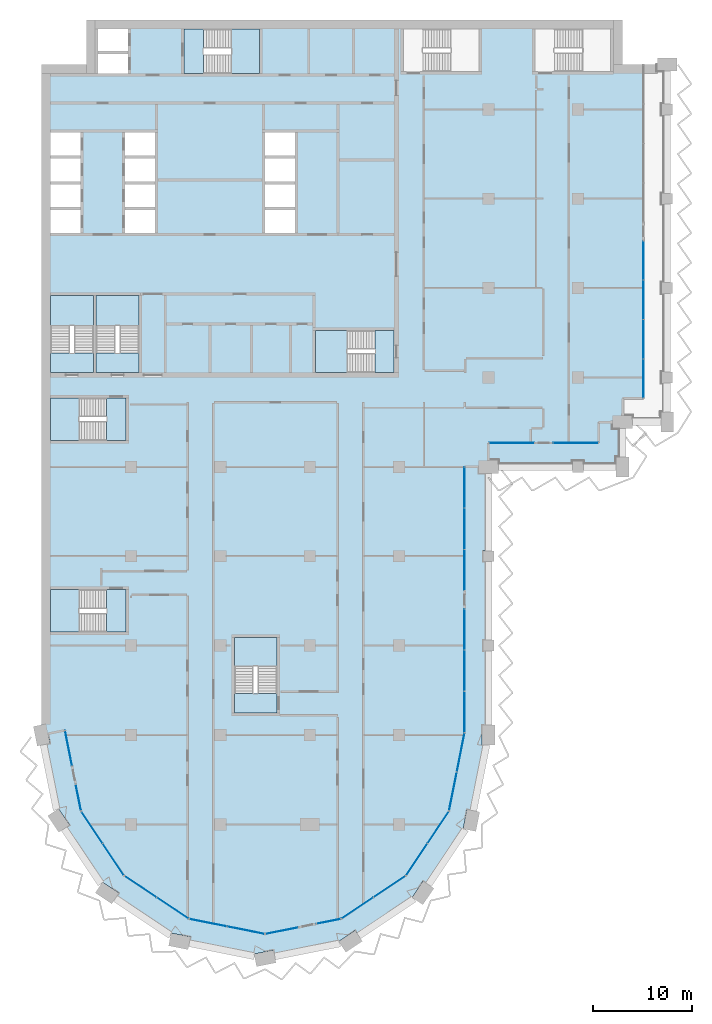
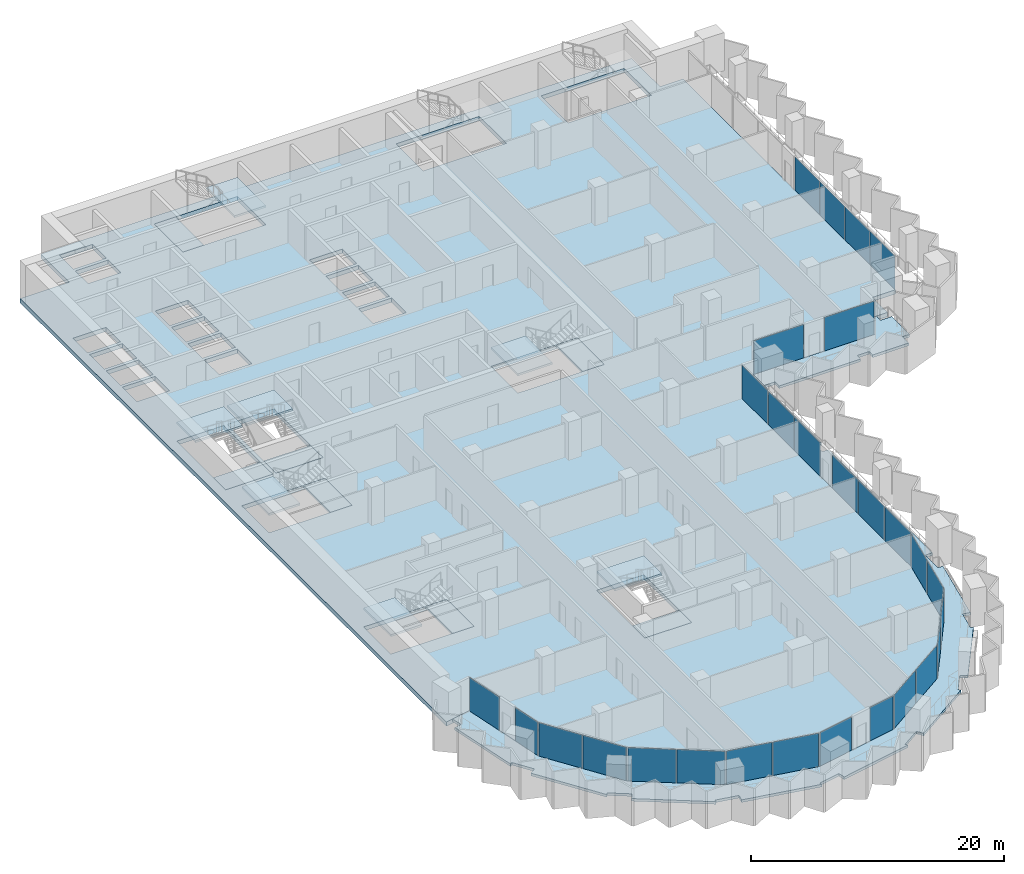
# One storey, part 6 of 22: 28 plates, 17 slabs, 22 elements without a shape of their own.
"""IFC4 building model written with IfcOpenShell, lengths in metres."""

from ifc_helpers import new_model, si_unit, direction, frame, origin, origin_2d, place, context, subcontext, project, spatial, polyline, rectangle, outline, extrude, material, layer, layer_set, type_object, element, aggregate, save


model = new_model("IFC4")

# Units and contexts
model_context = context("Model", 3, precision=1e-05, world=origin(), true_north=direction((0.0, 1.0)))
body_context = subcontext(model_context, "Body", "Model", "MODEL_VIEW")
ifc_project = project(units=[si_unit("LENGTHUNIT", "METRE"), si_unit("AREAUNIT", "SQUARE_METRE"), si_unit("VOLUMEUNIT", "CUBIC_METRE"), si_unit("PLANEANGLEUNIT", "RADIAN"), si_unit("MASSUNIT", "GRAM", prefix="KILO")], contexts=[model_context])

# Site, building, storey
site_placement = place(None, origin())
site = spatial("IfcSite", under=ifc_project, at=site_placement, CompositionType="ELEMENT")
building_placement = place(site_placement, origin())
building = spatial("IfcBuilding", under=site, at=building_placement, Name="Hunhe Ridgeline Campus", CompositionType="ELEMENT")
storey_placement = place(building_placement, frame((0.0, 0.0, 163.39990234375)))
storey = spatial("IfcBuildingStorey", under=building, at=storey_placement, Name="L41", CompositionType="ELEMENT", Elevation=163.39990234375)

# Curtain wall, plate
ifc_material_1 = material(Name="Aluminium 6063", Category="aluminium")
curtain_wall_type_1 = type_object("IfcCurtainWallType", Name="Curtain wall CW-5", PredefinedType="NOTDEFINED", material=ifc_material_1)
curtain_wall_1_placement = place(storey_placement, origin())
curtain_wall_1 = element("IfcCurtainWall", 1, at=curtain_wall_1_placement, inside=storey, type_object=curtain_wall_type_1, Name="Curtain wall 01", PredefinedType="NOTDEFINED")
ifc_material_2 = material(Name="Low-e laminated glass", Category="glass")
ifc_layer_1 = layer(ifc_material_2, 0.028076171875)
ifc_layer_set_1 = layer_set([ifc_layer_1], Name="Curtain wall glass panel 28 low-e laminated")
plate_type = type_object("IfcPlateType", Name="Curtain wall glass panel 28 low-e laminated", PredefinedType="CURTAIN_PANEL", material=ifc_layer_set_1)
plate_1_placement = place(storey_placement, frame((2.7158203125, 25.65380859375, 0.0), z_axis=(0.0, 0.0, 1.0), x_axis=(0.195095326561, -0.980784284924, 0.0)))
plate_1 = element("IfcPlate", 2, at=plate_1_placement, type_object=plate_type, Name="CW-5 panel 1", PredefinedType="CURTAIN_PANEL", context=body_context, shape_type="SweptSolid", body=[
    extrude(rectangle(XDim=3.560791015625, YDim=0.028076171875, at=origin_2d()), origin(), (0.0, 0.0, 1.0), 3.22998046875),
])
aggregate(curtain_wall_1, [plate_1])

curtain_wall_2_placement = place(storey_placement, origin())
curtain_wall_2 = element("IfcCurtainWall", 3, at=curtain_wall_2_placement, inside=storey, type_object=curtain_wall_type_1, Name="Curtain wall 02", PredefinedType="NOTDEFINED")
plate_2_placement = place(storey_placement, frame((3.701171875, 20.699951171875, 0.0), z_axis=(0.0, 0.0, 1.0), x_axis=(0.195095265587, -0.980784297053, 0.0)))
plate_2 = element("IfcPlate", 4, at=plate_2_placement, type_object=plate_type, Name="CW-5 panel 1", PredefinedType="CURTAIN_PANEL", context=body_context, shape_type="SweptSolid", body=[
    extrude(rectangle(XDim=2.660888671875, YDim=0.028076171875, at=origin_2d()), origin(), (0.0, 0.0, 1.0), 3.22998046875),
])
aggregate(curtain_wall_2, [plate_2])

# Curtain wall, plates
curtain_wall_3_placement = place(storey_placement, origin())
curtain_wall_3 = element("IfcCurtainWall", 5, at=curtain_wall_3_placement, inside=storey, type_object=curtain_wall_type_1, Name="Curtain wall 03", PredefinedType="NOTDEFINED")
plate_3_placement = place(storey_placement, frame((5.07080078125, 17.685546875, 0.0), z_axis=(0.0, 0.0, 1.0), x_axis=(0.555570274596, -0.831469584522, 0.0)))
plate_3 = element("IfcPlate", 6, at=plate_3_placement, type_object=plate_type, Name="CW-5 panel 1", PredefinedType="CURTAIN_PANEL", context=body_context, shape_type="SweptSolid", body=[
    extrude(rectangle(XDim=3.806884765625, YDim=0.028076171875, at=origin_2d()), origin(), (0.0, 0.0, 1.0), 3.22998046875),
])
plate_4_placement = place(storey_placement, frame((7.224609375, 14.4619140625, 0.0), z_axis=(0.0, 0.0, 1.0), x_axis=(0.555570274596, -0.831469584522, 0.0)))
plate_4 = element("IfcPlate", 7, at=plate_4_placement, type_object=plate_type, Name="CW-5 panel 2", PredefinedType="CURTAIN_PANEL", context=body_context, shape_type="SweptSolid", body=[
    extrude(rectangle(XDim=3.806884765625, YDim=0.028076171875, at=origin_2d()), origin(), (0.0, 0.0, 1.0), 3.22998046875),
])
aggregate(curtain_wall_3, [plate_3, plate_4])

curtain_wall_4_placement = place(storey_placement, origin())
curtain_wall_4 = element("IfcCurtainWall", 8, at=curtain_wall_4_placement, inside=storey, type_object=curtain_wall_type_1, Name="Curtain wall 04", PredefinedType="NOTDEFINED")
plate_5_placement = place(storey_placement, frame((9.9619140625, 11.724609375, 0.0), z_axis=(0.0, 0.0, 1.0), x_axis=(0.831469584522, -0.555570274596, 0.0)))
plate_5 = element("IfcPlate", 9, at=plate_5_placement, type_object=plate_type, Name="CW-5 panel 1", PredefinedType="CURTAIN_PANEL", context=body_context, shape_type="SweptSolid", body=[
    extrude(rectangle(XDim=3.806884765625, YDim=0.028076171875, at=origin_2d()), origin(), (0.0, 0.0, 1.0), 3.22998046875),
])
plate_6_placement = place(storey_placement, frame((13.185546875, 9.57080078125, 0.0), z_axis=(0.0, 0.0, 1.0), x_axis=(0.831469584522, -0.555570274596, 0.0)))
plate_6 = element("IfcPlate", 10, at=plate_6_placement, type_object=plate_type, Name="CW-5 panel 2", PredefinedType="CURTAIN_PANEL", context=body_context, shape_type="SweptSolid", body=[
    extrude(rectangle(XDim=3.806884765625, YDim=0.028076171875, at=origin_2d()), origin(), (0.0, 0.0, 1.0), 3.22998046875),
])
aggregate(curtain_wall_4, [plate_5, plate_6])

curtain_wall_5_placement = place(storey_placement, origin())
curtain_wall_5 = element("IfcCurtainWall", 11, at=curtain_wall_5_placement, inside=storey, type_object=curtain_wall_type_1, Name="Curtain wall 05", PredefinedType="NOTDEFINED")
plate_7_placement = place(storey_placement, frame((16.761962890625, 8.08935546875, 0.0), z_axis=(0.0, 0.0, 1.0), x_axis=(0.980785275326, -0.195090347539, 0.0)))
plate_7 = element("IfcPlate", 12, at=plate_7_placement, type_object=plate_type, Name="CW-5 panel 1", PredefinedType="CURTAIN_PANEL", context=body_context, shape_type="SweptSolid", body=[
    extrude(rectangle(XDim=3.806884765625, YDim=0.028076171875, at=origin_2d()), origin(), (0.0, 0.0, 1.0), 3.22998046875),
])
plate_8_placement = place(storey_placement, frame((20.564453125, 7.3330078125, 0.0), z_axis=(0.0, 0.0, 1.0), x_axis=(0.980785275326, -0.195090347539, 0.0)))
plate_8 = element("IfcPlate", 13, at=plate_8_placement, type_object=plate_type, Name="CW-5 panel 2", PredefinedType="CURTAIN_PANEL", context=body_context, shape_type="SweptSolid", body=[
    extrude(rectangle(XDim=3.806884765625, YDim=0.028076171875, at=origin_2d()), origin(), (0.0, 0.0, 1.0), 3.22998046875),
])
aggregate(curtain_wall_5, [plate_7, plate_8])

# Curtain wall, plate
curtain_wall_6_placement = place(storey_placement, origin())
curtain_wall_6 = element("IfcCurtainWall", 14, at=curtain_wall_6_placement, inside=storey, type_object=curtain_wall_type_1, Name="Curtain wall 06", PredefinedType="NOTDEFINED")
plate_9_placement = place(storey_placement, frame((24.19775390625, 7.28564453125, 0.0), z_axis=(0.0, 0.0, 1.0), x_axis=(0.980785270791, 0.19509037034, 0.0)))
plate_9 = element("IfcPlate", 15, at=plate_9_placement, type_object=plate_type, Name="CW-5 panel 1", PredefinedType="CURTAIN_PANEL", context=body_context, shape_type="SweptSolid", body=[
    extrude(rectangle(XDim=3.322021484375, YDim=0.028076171875, at=origin_2d()), origin(), (0.0, 0.0, 1.0), 3.22998046875),
])
aggregate(curtain_wall_6, [plate_9])

curtain_wall_7_placement = place(storey_placement, origin())
curtain_wall_7 = element("IfcCurtainWall", 16, at=curtain_wall_7_placement, inside=storey, type_object=curtain_wall_type_1, Name="Curtain wall 07", PredefinedType="NOTDEFINED")
plate_10_placement = place(storey_placement, frame((28.917236328125, 8.224609375, 0.0), z_axis=(0.0, 0.0, 1.0), x_axis=(0.980785242091, 0.195090514627, 0.0)))
plate_10 = element("IfcPlate", 17, at=plate_10_placement, type_object=plate_type, Name="CW-5 panel 1", PredefinedType="CURTAIN_PANEL", context=body_context, shape_type="SweptSolid", body=[
    extrude(rectangle(XDim=2.421875, YDim=0.028076171875, at=origin_2d()), origin(), (0.0, 0.0, 1.0), 3.22998046875),
])
aggregate(curtain_wall_7, [plate_10])

# Curtain wall, plates
curtain_wall_8_placement = place(storey_placement, origin())
curtain_wall_8 = element("IfcCurtainWall", 18, at=curtain_wall_8_placement, inside=storey, type_object=curtain_wall_type_1, Name="Curtain wall 08", PredefinedType="NOTDEFINED")
plate_11_placement = place(storey_placement, frame((31.814453125, 9.57080078125, 0.0), z_axis=(0.0, 0.0, 1.0), x_axis=(0.831469584522, 0.555570274596, 0.0)))
plate_11 = element("IfcPlate", 19, at=plate_11_placement, type_object=plate_type, Name="CW-5 panel 1", PredefinedType="CURTAIN_PANEL", context=body_context, shape_type="SweptSolid", body=[
    extrude(rectangle(XDim=3.806884765625, YDim=0.028076171875, at=origin_2d()), origin(), (0.0, 0.0, 1.0), 3.22998046875),
])
plate_12_placement = place(storey_placement, frame((35.0380859375, 11.724609375, 0.0), z_axis=(0.0, 0.0, 1.0), x_axis=(0.831469584522, 0.555570274596, 0.0)))
plate_12 = element("IfcPlate", 20, at=plate_12_placement, type_object=plate_type, Name="CW-5 panel 2", PredefinedType="CURTAIN_PANEL", context=body_context, shape_type="SweptSolid", body=[
    extrude(rectangle(XDim=3.806884765625, YDim=0.028076171875, at=origin_2d()), origin(), (0.0, 0.0, 1.0), 3.22998046875),
])
aggregate(curtain_wall_8, [plate_11, plate_12])

curtain_wall_9_placement = place(storey_placement, origin())
curtain_wall_9 = element("IfcCurtainWall", 21, at=curtain_wall_9_placement, inside=storey, type_object=curtain_wall_type_1, Name="Curtain wall 09", PredefinedType="NOTDEFINED")
plate_13_placement = place(storey_placement, frame((37.775390625, 14.4619140625, 0.0), z_axis=(0.0, 0.0, 1.0), x_axis=(0.555570274596, 0.831469584522, 0.0)))
plate_13 = element("IfcPlate", 22, at=plate_13_placement, type_object=plate_type, Name="CW-5 panel 1", PredefinedType="CURTAIN_PANEL", context=body_context, shape_type="SweptSolid", body=[
    extrude(rectangle(XDim=3.806884765625, YDim=0.028076171875, at=origin_2d()), origin(), (0.0, 0.0, 1.0), 3.22998046875),
])
plate_14_placement = place(storey_placement, frame((39.92919921875, 17.685546875, 0.0), z_axis=(0.0, 0.0, 1.0), x_axis=(0.555570274596, 0.831469584522, 0.0)))
plate_14 = element("IfcPlate", 23, at=plate_14_placement, type_object=plate_type, Name="CW-5 panel 2", PredefinedType="CURTAIN_PANEL", context=body_context, shape_type="SweptSolid", body=[
    extrude(rectangle(XDim=3.806884765625, YDim=0.028076171875, at=origin_2d()), origin(), (0.0, 0.0, 1.0), 3.22998046875),
])
aggregate(curtain_wall_9, [plate_13, plate_14])

curtain_wall_10_placement = place(storey_placement, origin())
curtain_wall_10 = element("IfcCurtainWall", 24, at=curtain_wall_10_placement, inside=storey, type_object=curtain_wall_type_1, Name="Curtain wall 10", PredefinedType="NOTDEFINED")
plate_15_placement = place(storey_placement, frame((41.42236328125, 21.321044921875, 0.0), z_axis=(0.0, 0.0, 1.0), x_axis=(0.195090299215, 0.980785284939, 0.0)))
plate_15 = element("IfcPlate", 25, at=plate_15_placement, type_object=plate_type, Name="CW-5 panel 1", PredefinedType="CURTAIN_PANEL", context=body_context, shape_type="SweptSolid", body=[
    extrude(rectangle(XDim=3.927490234375, YDim=0.028076171875, at=origin_2d()), origin(), (0.0, 0.0, 1.0), 3.22998046875),
])
plate_16_placement = place(storey_placement, frame((42.2021484375, 25.24169921875, 0.0), z_axis=(0.0, 0.0, 1.0), x_axis=(0.195090299215, 0.980785284939, 0.0)))
plate_16 = element("IfcPlate", 26, at=plate_16_placement, type_object=plate_type, Name="CW-5 panel 2", PredefinedType="CURTAIN_PANEL", context=body_context, shape_type="SweptSolid", body=[
    extrude(rectangle(XDim=3.927490234375, YDim=0.028076171875, at=origin_2d()), origin(), (0.0, 0.0, 1.0), 3.22998046875),
])
aggregate(curtain_wall_10, [plate_15, plate_16])

curtain_wall_type_2 = type_object("IfcCurtainWallType", Name="Curtain wall CW-1", PredefinedType="NOTDEFINED", material=ifc_material_1)
curtain_wall_11_placement = place(storey_placement, origin())
curtain_wall_11 = element("IfcCurtainWall", 27, at=curtain_wall_11_placement, inside=storey, type_object=curtain_wall_type_2, Name="Curtain wall 11", PredefinedType="NOTDEFINED")
plate_17_placement = place(storey_placement, frame((42.59912109375, 29.331787109375, 0.0), z_axis=(0.0, 0.0, 1.0), x_axis=(4.406345e-06, 0.99999999999, 0.0)))
plate_17 = element("IfcPlate", 28, at=plate_17_placement, type_object=plate_type, Name="CW-1 panel 1", PredefinedType="CURTAIN_PANEL", context=body_context, shape_type="SweptSolid", body=[
    extrude(rectangle(XDim=4.070556640625, YDim=0.028076171875, at=origin_2d()), origin(), (0.0, 0.0, 1.0), 3.239990234375),
])
plate_18_placement = place(storey_placement, frame((42.59912109375, 33.4775390625, 0.0), z_axis=(0.0, 0.0, 1.0), x_axis=(4.406345e-06, 0.99999999999, 0.0)))
plate_18 = element("IfcPlate", 29, at=plate_18_placement, type_object=plate_type, Name="CW-1 panel 2", PredefinedType="CURTAIN_PANEL", context=body_context, shape_type="SweptSolid", body=[
    extrude(rectangle(XDim=4.1005859375, YDim=0.028076171875, at=origin_2d()), origin(), (0.0, 0.0, 1.0), 3.239990234375),
])
plate_19_placement = place(storey_placement, frame((42.59912109375, 37.623046875, 0.0), z_axis=(0.0, 0.0, 1.0), x_axis=(4.406345e-06, 0.99999999999, 0.0)))
plate_19 = element("IfcPlate", 30, at=plate_19_placement, type_object=plate_type, Name="CW-1 panel 3", PredefinedType="CURTAIN_PANEL", context=body_context, shape_type="SweptSolid", body=[
    extrude(rectangle(XDim=4.070556640625, YDim=0.028076171875, at=origin_2d()), origin(), (0.0, 0.0, 1.0), 3.239990234375),
])
aggregate(curtain_wall_11, [plate_17, plate_18, plate_19])

curtain_wall_12_placement = place(storey_placement, origin())
curtain_wall_12 = element("IfcCurtainWall", 31, at=curtain_wall_12_placement, inside=storey, type_object=curtain_wall_type_2, Name="Curtain wall 12", PredefinedType="NOTDEFINED")
plate_20_placement = place(storey_placement, frame((42.59912109375, 43.61376953125, 0.0), z_axis=(0.0, 0.0, 1.0), x_axis=(4.406345e-06, 0.99999999999, 0.0)))
plate_20 = element("IfcPlate", 32, at=plate_20_placement, type_object=plate_type, Name="CW-1 panel 1", PredefinedType="CURTAIN_PANEL", context=body_context, shape_type="SweptSolid", body=[
    extrude(rectangle(XDim=4.070556640625, YDim=0.028076171875, at=origin_2d()), origin(), (0.0, 0.0, 1.0), 3.239990234375),
])
plate_21_placement = place(storey_placement, frame((42.59912109375, 47.759521484375, 0.0), z_axis=(0.0, 0.0, 1.0), x_axis=(4.406345e-06, 0.99999999999, 0.0)))
plate_21 = element("IfcPlate", 33, at=plate_21_placement, type_object=plate_type, Name="CW-1 panel 2", PredefinedType="CURTAIN_PANEL", context=body_context, shape_type="SweptSolid", body=[
    extrude(rectangle(XDim=4.1005859375, YDim=0.028076171875, at=origin_2d()), origin(), (0.0, 0.0, 1.0), 3.239990234375),
])
plate_22_placement = place(storey_placement, frame((42.59912109375, 51.905029296875, 0.0), z_axis=(0.0, 0.0, 1.0), x_axis=(4.406345e-06, 0.99999999999, 0.0)))
plate_22 = element("IfcPlate", 34, at=plate_22_placement, type_object=plate_type, Name="CW-1 panel 3", PredefinedType="CURTAIN_PANEL", context=body_context, shape_type="SweptSolid", body=[
    extrude(rectangle(XDim=4.070556640625, YDim=0.028076171875, at=origin_2d()), origin(), (0.0, 0.0, 1.0), 3.239990234375),
])
aggregate(curtain_wall_12, [plate_20, plate_21, plate_22])

# Curtain wall, plate
curtain_wall_13_placement = place(storey_placement, origin())
curtain_wall_13 = element("IfcCurtainWall", 35, at=curtain_wall_13_placement, inside=storey, type_object=curtain_wall_type_2, Name="Curtain wall 13", PredefinedType="NOTDEFINED")
plate_23_placement = place(storey_placement, frame((47.32470703125, 56.40087890625, 0.0), z_axis=(0.0, 0.0, 1.0), x_axis=(0.999999999999, 1.72058e-06, 0.0)))
plate_23 = element("IfcPlate", 36, at=plate_23_placement, type_object=plate_type, Name="CW-1 panel 1", PredefinedType="CURTAIN_PANEL", context=body_context, shape_type="SweptSolid", body=[
    extrude(rectangle(XDim=4.529541015625, YDim=0.028076171875, at=origin_2d()), origin(), (0.0, 0.0, 1.0), 3.239990234375),
])
aggregate(curtain_wall_13, [plate_23])

curtain_wall_14_placement = place(storey_placement, origin())
curtain_wall_14 = element("IfcCurtainWall", 37, at=curtain_wall_14_placement, inside=storey, type_object=curtain_wall_type_2, Name="Curtain wall 14", PredefinedType="NOTDEFINED")
plate_24_placement = place(storey_placement, frame((53.774169921875, 56.40087890625, 0.0), z_axis=(0.0, 0.0, 1.0), x_axis=(0.999999999999, 1.72058e-06, 0.0)))
plate_24 = element("IfcPlate", 38, at=plate_24_placement, type_object=plate_type, Name="CW-1 panel 1", PredefinedType="CURTAIN_PANEL", context=body_context, shape_type="SweptSolid", body=[
    extrude(rectangle(XDim=4.529541015625, YDim=0.028076171875, at=origin_2d()), origin(), (0.0, 0.0, 1.0), 3.239990234375),
])
aggregate(curtain_wall_14, [plate_24])

# Curtain wall, plates
curtain_wall_15_placement = place(storey_placement, origin())
curtain_wall_15 = element("IfcCurtainWall", 39, at=curtain_wall_15_placement, inside=storey, type_object=curtain_wall_type_2, Name="Curtain wall 15", PredefinedType="NOTDEFINED")
plate_25_placement = place(storey_placement, frame((60.59912109375, 62.9033203125, 0.0), z_axis=(0.0, 0.0, 1.0), x_axis=(0.0, 1.0, 0.0)))
plate_25 = element("IfcPlate", 40, at=plate_25_placement, type_object=plate_type, Name="CW-1 panel 1", PredefinedType="CURTAIN_PANEL", context=body_context, shape_type="SweptSolid", body=[
    extrude(rectangle(XDim=3.884765625, YDim=0.028076171875, at=origin_2d()), origin(), (0.0, 0.0, 1.0), 3.239990234375),
])
plate_26_placement = place(storey_placement, frame((60.59912109375, 66.86328125, 0.0), z_axis=(0.0, 0.0, 1.0), x_axis=(0.0, 1.0, 0.0)))
plate_26 = element("IfcPlate", 41, at=plate_26_placement, type_object=plate_type, Name="CW-1 panel 2", PredefinedType="CURTAIN_PANEL", context=body_context, shape_type="SweptSolid", body=[
    extrude(rectangle(XDim=3.914794921875, YDim=0.028076171875, at=origin_2d()), origin(), (0.0, 0.0, 1.0), 3.239990234375),
])
plate_27_placement = place(storey_placement, frame((60.59912109375, 70.838134765625, 0.0), z_axis=(0.0, 0.0, 1.0), x_axis=(0.0, 1.0, 0.0)))
plate_27 = element("IfcPlate", 42, at=plate_27_placement, type_object=plate_type, Name="CW-1 panel 3", PredefinedType="CURTAIN_PANEL", context=body_context, shape_type="SweptSolid", body=[
    extrude(rectangle(XDim=3.914794921875, YDim=0.028076171875, at=origin_2d()), origin(), (0.0, 0.0, 1.0), 3.239990234375),
])
plate_28_placement = place(storey_placement, frame((60.59912109375, 74.798095703125, 0.0), z_axis=(0.0, 0.0, 1.0), x_axis=(0.0, 1.0, 0.0)))
plate_28 = element("IfcPlate", 43, at=plate_28_placement, type_object=plate_type, Name="CW-1 panel 4", PredefinedType="CURTAIN_PANEL", context=body_context, shape_type="SweptSolid", body=[
    extrude(rectangle(XDim=3.884765625, YDim=0.028076171875, at=origin_2d()), origin(), (0.0, 0.0, 1.0), 3.239990234375),
])
aggregate(curtain_wall_15, [plate_25, plate_26, plate_27, plate_28])

# Slabs
ifc_material_3 = material(Name="Concrete C40", Category="concrete")
ifc_layer_2 = layer(ifc_material_3, 0.39990234375)
ifc_layer_set_2 = layer_set([ifc_layer_2], Name="Floor slab 400 Concrete C40")
slab_type_1 = type_object("IfcSlabType", Name="Floor slab 400 Concrete C40", PredefinedType="FLOOR", material=ifc_layer_set_2)
slab_1_placement = place(storey_placement, frame((0.0, 0.0, -0.39990234375)))
element("IfcSlab", 44, at=slab_1_placement, inside=storey, type_object=slab_type_1, Name="Floor slab L41 1", PredefinedType="FLOOR", context=body_context, shape_type="SweptSolid", body=[
    extrude(outline(polyline([(2.354736328125, 27.46875), (3.974365234375, 19.326416015625), (8.321044921875, 12.821044921875), (14.826416015625, 8.474365234375), (22.5, 6.947998046875), (30.173583984375, 8.474365234375), (36.678955078125, 12.821044921875), (41.025634765625, 19.326416015625), (42.59912109375, 27.236572265625), (42.59912109375, 54.00048828125), (44.9990234375, 54.0009765625), (44.999755859375, 56.40087890625), (56.09912109375, 56.40087890625), (56.099365234375, 58.500732421875), (58.4990234375, 58.5009765625), (58.499267578125, 60.900634765625), (60.59912109375, 60.90087890625), (60.59912109375, 94.5), (58.5, 94.5), (58.5, 99.0), (4.5, 99.0), (4.5, 94.5), (0.0, 94.5), (0.0, 27.0009765625), (2.354736328125, 27.46875)]), holes=[polyline([(49.699951171875, 93.800048828125), (57.300048828125, 93.800048828125), (57.300048828125, 98.10009765625), (49.699951171875, 98.10009765625), (49.699951171875, 93.800048828125)]), polyline([(44.050048828125, 93.800048828125), (44.050048828125, 98.10009765625), (36.449951171875, 98.10009765625), (36.449951171875, 93.800048828125), (44.050048828125, 93.800048828125)]), polyline([(35.5, 67.75), (27.60009765625, 67.75), (27.60009765625, 63.5), (35.5, 63.5), (35.5, 67.75)]), polyline([(25.5, 82.75), (25.5, 85.050048828125), (22.5, 85.050048828125), (22.5, 82.75), (25.5, 82.75)]), polyline([(25.5, 82.449951171875), (22.5, 82.449951171875), (22.5, 80.14990234375), (25.5, 80.14990234375), (25.5, 82.449951171875)]), polyline([(22.5, 85.35009765625), (25.5, 85.35009765625), (25.5, 87.64990234375), (22.5, 87.64990234375), (22.5, 85.35009765625)]), polyline([(22.5, 79.85009765625), (22.5, 77.550048828125), (25.5, 77.550048828125), (25.5, 79.85009765625), (22.5, 79.85009765625)]), polyline([(19.39990234375, 29.199951171875), (23.699951171875, 29.199951171875), (23.699951171875, 36.800048828125), (19.39990234375, 36.800048828125), (19.39990234375, 29.199951171875)]), polyline([(21.949951171875, 93.60009765625), (21.949951171875, 98.10009765625), (14.35009765625, 98.10009765625), (14.35009765625, 93.60009765625), (21.949951171875, 93.60009765625)]), polyline([(8.39990234375, 79.85009765625), (8.39990234375, 77.550048828125), (11.39990234375, 77.550048828125), (11.39990234375, 79.85009765625), (8.39990234375, 79.85009765625)]), polyline([(8.39990234375, 85.35009765625), (11.39990234375, 85.35009765625), (11.39990234375, 87.64990234375), (8.39990234375, 87.64990234375), (8.39990234375, 85.35009765625)]), polyline([(11.39990234375, 82.449951171875), (8.39990234375, 82.449951171875), (8.39990234375, 80.14990234375), (11.39990234375, 80.14990234375), (11.39990234375, 82.449951171875)]), polyline([(11.39990234375, 82.75), (11.39990234375, 85.050048828125), (8.39990234375, 85.050048828125), (8.39990234375, 82.75), (11.39990234375, 82.75)]), polyline([(5.5, 71.25), (5.5, 63.5), (9.800048828125, 63.5), (9.800048828125, 71.25), (5.5, 71.25)]), polyline([(8.699951171875, 98.10009765625), (5.699951171875, 98.10009765625), (5.699951171875, 95.89990234375), (8.699951171875, 95.89990234375), (8.699951171875, 98.10009765625)]), polyline([(5.699951171875, 95.60009765625), (5.699951171875, 93.60009765625), (8.699951171875, 93.60009765625), (8.699951171875, 95.60009765625), (5.699951171875, 95.60009765625)]), polyline([(0.89990234375, 60.949951171875), (0.89990234375, 56.64990234375), (8.5, 56.64990234375), (8.5, 60.949951171875), (0.89990234375, 60.949951171875)]), polyline([(0.89990234375, 37.35009765625), (8.5, 37.35009765625), (8.5, 41.64990234375), (0.89990234375, 41.64990234375), (0.89990234375, 37.35009765625)]), polyline([(0.89990234375, 63.5), (5.199951171875, 63.5), (5.199951171875, 71.25), (0.89990234375, 71.25), (0.89990234375, 63.5)]), polyline([(3.89990234375, 82.75), (3.89990234375, 85.050048828125), (0.89990234375, 85.050048828125), (0.89990234375, 82.75), (3.89990234375, 82.75)]), polyline([(3.89990234375, 82.449951171875), (0.89990234375, 82.449951171875), (0.89990234375, 80.14990234375), (3.89990234375, 80.14990234375), (3.89990234375, 82.449951171875)]), polyline([(0.89990234375, 85.35009765625), (3.89990234375, 85.35009765625), (3.89990234375, 87.64990234375), (0.89990234375, 87.64990234375), (0.89990234375, 85.35009765625)]), polyline([(0.89990234375, 79.85009765625), (0.89990234375, 77.550048828125), (3.89990234375, 77.550048828125), (3.89990234375, 79.85009765625), (0.89990234375, 79.85009765625)])]), origin(), (0.0, 0.0, 1.0), 0.39990234375),
])
ifc_layer_3 = layer(ifc_material_3, 0.25)
ifc_layer_set_3 = layer_set([ifc_layer_3], Name="Loggia slab 250 Concrete C40")
slab_type_2 = type_object("IfcSlabType", Name="Loggia slab 250 Concrete C40", PredefinedType="FLOOR", material=ifc_layer_set_3)
slab_2_placement = place(storey_placement, frame((0.0, 0.0, -0.25)))
element("IfcSlab", 45, at=slab_2_placement, inside=storey, type_object=slab_type_2, Name="Loggia slab 1", PredefinedType="FLOOR", context=body_context, shape_type="SweptSolid", body=[
    extrude(outline(polyline([(30.173828125, 8.473388671875), (22.5, 6.947021484375), (14.826171875, 8.473388671875), (8.3203125, 12.8203125), (3.973388671875, 19.326171875), (2.35400390625, 27.46826171875), (0.637451171875, 27.126708984375), (0.83251953125, 26.14599609375), (0.195068359375, 26.019287109375), (1.50146484375, 19.451171875), (1.697509765625, 19.582275390625), (2.808837890625, 17.919189453125), (2.268310546875, 17.55810546875), (5.98876953125, 11.989990234375), (6.11962890625, 12.18603515625), (7.78271484375, 11.074951171875), (7.421630859375, 10.534423828125), (12.98974609375, 6.81396484375), (13.03564453125, 7.04541015625), (14.997314453125, 6.655029296875), (14.870361328125, 6.017578125), (21.4384765625, 4.711181640625), (21.392333984375, 4.9423828125), (23.35400390625, 5.33251953125), (23.480712890625, 4.695068359375), (30.048828125, 6.00146484375), (29.917724609375, 6.197509765625), (31.580810546875, 7.308837890625), (31.94189453125, 6.768310546875), (37.510009765625, 10.48876953125), (37.31396484375, 10.61962890625), (38.425048828125, 12.28271484375), (38.965576171875, 11.921630859375), (42.68603515625, 17.48974609375), (42.45458984375, 17.53564453125), (42.844970703125, 19.497314453125), (43.482421875, 19.370361328125), (44.801025390625, 26.0), (44.35009765625, 26.0), (44.35009765625, 28.0), (45.0, 28.0), (45.0, 35.449951171875), (44.449951171875, 35.449951171875), (44.449951171875, 36.550048828125), (45.0, 36.550048828125), (45.0, 44.449951171875), (44.449951171875, 44.449951171875), (44.449951171875, 45.550048828125), (45.0, 45.550048828125), (45.0, 53.35009765625), (44.0, 53.35009765625), (44.0, 54.0), (42.60009765625, 54.0), (42.60009765625, 27.236328125), (41.026611328125, 19.326171875), (36.6796875, 12.8203125), (30.173828125, 8.473388671875)])), origin(), (0.0, 0.0, 1.0), 0.25),
])
slab_3_placement = place(storey_placement, frame((0.0, 0.0, -0.25)))
element("IfcSlab", 46, at=slab_3_placement, inside=storey, type_object=slab_type_2, Name="Loggia slab 2", PredefinedType="FLOOR", context=body_context, shape_type="SweptSolid", body=[
    extrude(outline(polyline([(45.0, 54.64990234375), (46.0, 54.64990234375), (46.0, 54.0), (53.449951171875, 54.0), (53.449951171875, 54.550048828125), (54.550048828125, 54.550048828125), (54.550048828125, 54.0), (57.85009765625, 54.0), (57.85009765625, 55.0), (58.5, 55.0), (58.5, 57.85009765625), (57.5, 57.85009765625), (57.5, 58.5), (56.10009765625, 58.5), (56.10009765625, 56.39990234375), (45.0, 56.39990234375), (45.0, 54.64990234375)])), origin(), (0.0, 0.0, 1.0), 0.25),
])

# Stair, slab
stair_type = type_object("IfcStairType", Name="Reinforced concrete dog-leg stair 1950 Concrete C40", PredefinedType="HALF_TURN_STAIR", material=ifc_material_3)
stair_1_placement = place(storey_placement, origin())
stair_1 = element("IfcStair", 47, at=stair_1_placement, inside=storey, type_object=stair_type, Name="L41 S1", PredefinedType="HALF_TURN_STAIR")
ifc_layer_4 = layer(ifc_material_3, 0.199951171875)
ifc_layer_set_4 = layer_set([ifc_layer_4], Name="Reinforced concrete stair landing 200 Concrete C40")
slab_type_3 = type_object("IfcSlabType", Name="Reinforced concrete stair landing 200 Concrete C40", PredefinedType="LANDING", material=ifc_layer_set_4)
slab_4_placement = place(storey_placement, frame((0.0, 0.0, 1.650146484375)))
slab_4 = element("IfcSlab", 48, at=slab_4_placement, type_object=slab_type_3, Name="ST1 landing 1", PredefinedType="LANDING", context=body_context, shape_type="SweptSolid", body=[
    extrude(outline(polyline([(19.10009765625, 93.60009765625), (21.949951171875, 93.60009765625), (21.949951171875, 98.10009765625), (19.10009765625, 98.10009765625), (19.10009765625, 93.60009765625)])), origin(), (0.0, 0.0, 1.0), 0.199951171875),
])
aggregate(stair_1, [slab_4])

# Slab
slab_5_placement = place(storey_placement, frame((0.0, 0.0, -0.199951171875)))
element("IfcSlab", 49, at=slab_5_placement, inside=storey, type_object=slab_type_3, Name="L41 stair S1 floor landing", PredefinedType="LANDING", context=body_context, shape_type="SweptSolid", body=[
    extrude(outline(polyline([(14.35009765625, 93.60009765625), (16.300048828125, 93.60009765625), (16.300048828125, 98.10009765625), (14.35009765625, 98.10009765625), (14.35009765625, 93.60009765625)])), origin(), (0.0, 0.0, 1.0), 0.199951171875),
])

# Stair, slab
stair_2_placement = place(storey_placement, origin())
stair_2 = element("IfcStair", 50, at=stair_2_placement, inside=storey, type_object=stair_type, Name="L41 S2", PredefinedType="HALF_TURN_STAIR")
slab_6_placement = place(storey_placement, frame((0.0, 0.0, 1.650146484375)))
slab_6 = element("IfcSlab", 51, at=slab_6_placement, type_object=slab_type_3, Name="ST2 landing 1", PredefinedType="LANDING", context=body_context, shape_type="SweptSolid", body=[
    extrude(outline(polyline([(30.75, 67.75), (27.60009765625, 67.75), (27.60009765625, 63.5), (30.75, 63.5), (30.75, 67.75)])), origin(), (0.0, 0.0, 1.0), 0.199951171875),
])
aggregate(stair_2, [slab_6])

# Slab
slab_7_placement = place(storey_placement, frame((0.0, 0.0, -0.199951171875)))
element("IfcSlab", 52, at=slab_7_placement, inside=storey, type_object=slab_type_3, Name="L41 stair S2 floor landing", PredefinedType="LANDING", context=body_context, shape_type="SweptSolid", body=[
    extrude(outline(polyline([(35.5, 67.75), (33.550048828125, 67.75), (33.550048828125, 63.5), (35.5, 63.5), (35.5, 67.75)])), origin(), (0.0, 0.0, 1.0), 0.199951171875),
])

# Stair, slab
stair_3_placement = place(storey_placement, origin())
stair_3 = element("IfcStair", 53, at=stair_3_placement, inside=storey, type_object=stair_type, Name="L41 S3", PredefinedType="HALF_TURN_STAIR")
slab_8_placement = place(storey_placement, frame((0.0, 0.0, 1.650146484375)))
slab_8 = element("IfcSlab", 54, at=slab_8_placement, type_object=slab_type_3, Name="ST3 landing 1", PredefinedType="LANDING", context=body_context, shape_type="SweptSolid", body=[
    extrude(outline(polyline([(5.199951171875, 68.25), (5.199951171875, 71.25), (0.89990234375, 71.25), (0.89990234375, 68.25), (5.199951171875, 68.25)])), origin(), (0.0, 0.0, 1.0), 0.199951171875),
])
aggregate(stair_3, [slab_8])

# Slab
slab_9_placement = place(storey_placement, frame((0.0, 0.0, -0.199951171875)))
element("IfcSlab", 55, at=slab_9_placement, inside=storey, type_object=slab_type_3, Name="L41 stair S3 floor landing", PredefinedType="LANDING", context=body_context, shape_type="SweptSolid", body=[
    extrude(outline(polyline([(5.199951171875, 63.5), (5.199951171875, 65.449951171875), (0.89990234375, 65.449951171875), (0.89990234375, 63.5), (5.199951171875, 63.5)])), origin(), (0.0, 0.0, 1.0), 0.199951171875),
])

# Stair, slab
stair_4_placement = place(storey_placement, origin())
stair_4 = element("IfcStair", 56, at=stair_4_placement, inside=storey, type_object=stair_type, Name="L41 S4", PredefinedType="HALF_TURN_STAIR")
slab_10_placement = place(storey_placement, frame((0.0, 0.0, 1.650146484375)))
slab_10 = element("IfcSlab", 57, at=slab_10_placement, type_object=slab_type_3, Name="ST4 landing 1", PredefinedType="LANDING", context=body_context, shape_type="SweptSolid", body=[
    extrude(outline(polyline([(9.800048828125, 68.25), (9.800048828125, 71.25), (5.5, 71.25), (5.5, 68.25), (9.800048828125, 68.25)])), origin(), (0.0, 0.0, 1.0), 0.199951171875),
])
aggregate(stair_4, [slab_10])

# Slab
slab_11_placement = place(storey_placement, frame((0.0, 0.0, -0.199951171875)))
element("IfcSlab", 58, at=slab_11_placement, inside=storey, type_object=slab_type_3, Name="L41 stair S4 floor landing", PredefinedType="LANDING", context=body_context, shape_type="SweptSolid", body=[
    extrude(outline(polyline([(9.800048828125, 63.5), (9.800048828125, 65.449951171875), (5.5, 65.449951171875), (5.5, 63.5), (9.800048828125, 63.5)])), origin(), (0.0, 0.0, 1.0), 0.199951171875),
])

# Stair, slab
stair_5_placement = place(storey_placement, origin())
stair_5 = element("IfcStair", 59, at=stair_5_placement, inside=storey, type_object=stair_type, Name="L41 W3", PredefinedType="HALF_TURN_STAIR")
slab_12_placement = place(storey_placement, frame((0.0, 0.0, 1.650146484375)))
slab_12 = element("IfcSlab", 60, at=slab_12_placement, type_object=slab_type_3, Name="ST9 landing 1", PredefinedType="LANDING", context=body_context, shape_type="SweptSolid", body=[
    extrude(outline(polyline([(23.699951171875, 33.949951171875), (23.699951171875, 36.800048828125), (19.39990234375, 36.800048828125), (19.39990234375, 33.949951171875), (23.699951171875, 33.949951171875)])), origin(), (0.0, 0.0, 1.0), 0.199951171875),
])
aggregate(stair_5, [slab_12])

# Slab
slab_13_placement = place(storey_placement, frame((0.0, 0.0, -0.199951171875)))
element("IfcSlab", 61, at=slab_13_placement, inside=storey, type_object=slab_type_3, Name="L41 stair W3 floor landing", PredefinedType="LANDING", context=body_context, shape_type="SweptSolid", body=[
    extrude(outline(polyline([(23.699951171875, 29.199951171875), (23.699951171875, 31.14990234375), (19.39990234375, 31.14990234375), (19.39990234375, 29.199951171875), (23.699951171875, 29.199951171875)])), origin(), (0.0, 0.0, 1.0), 0.199951171875),
])

# Stair, slab
stair_6_placement = place(storey_placement, origin())
stair_6 = element("IfcStair", 62, at=stair_6_placement, inside=storey, type_object=stair_type, Name="L41 W1", PredefinedType="HALF_TURN_STAIR")
slab_14_placement = place(storey_placement, frame((0.0, 0.0, 1.650146484375)))
slab_14 = element("IfcSlab", 63, at=slab_14_placement, type_object=slab_type_3, Name="ST11 landing 1", PredefinedType="LANDING", context=body_context, shape_type="SweptSolid", body=[
    extrude(outline(polyline([(3.75, 41.64990234375), (0.89990234375, 41.64990234375), (0.89990234375, 37.35009765625), (3.75, 37.35009765625), (3.75, 41.64990234375)])), origin(), (0.0, 0.0, 1.0), 0.199951171875),
])
aggregate(stair_6, [slab_14])

# Slab
slab_15_placement = place(storey_placement, frame((0.0, 0.0, -0.199951171875)))
element("IfcSlab", 64, at=slab_15_placement, inside=storey, type_object=slab_type_3, Name="L41 stair W1 floor landing", PredefinedType="LANDING", context=body_context, shape_type="SweptSolid", body=[
    extrude(outline(polyline([(8.5, 41.64990234375), (6.550048828125, 41.64990234375), (6.550048828125, 37.35009765625), (8.5, 37.35009765625), (8.5, 41.64990234375)])), origin(), (0.0, 0.0, 1.0), 0.199951171875),
])

# Stair, slab
stair_7_placement = place(storey_placement, origin())
stair_7 = element("IfcStair", 65, at=stair_7_placement, inside=storey, type_object=stair_type, Name="L41 W2", PredefinedType="HALF_TURN_STAIR")
slab_16_placement = place(storey_placement, frame((0.0, 0.0, 1.650146484375)))
slab_16 = element("IfcSlab", 66, at=slab_16_placement, type_object=slab_type_3, Name="ST12 landing 1", PredefinedType="LANDING", context=body_context, shape_type="SweptSolid", body=[
    extrude(outline(polyline([(3.75, 60.949951171875), (0.89990234375, 60.949951171875), (0.89990234375, 56.64990234375), (3.75, 56.64990234375), (3.75, 60.949951171875)])), origin(), (0.0, 0.0, 1.0), 0.199951171875),
])
aggregate(stair_7, [slab_16])

# Slab
slab_17_placement = place(storey_placement, frame((0.0, 0.0, -0.199951171875)))
element("IfcSlab", 67, at=slab_17_placement, inside=storey, type_object=slab_type_3, Name="L41 stair W2 floor landing", PredefinedType="LANDING", context=body_context, shape_type="SweptSolid", body=[
    extrude(outline(polyline([(8.5, 60.949951171875), (6.550048828125, 60.949951171875), (6.550048828125, 56.64990234375), (8.5, 56.64990234375), (8.5, 60.949951171875)])), origin(), (0.0, 0.0, 1.0), 0.199951171875),
])

save(model, "model.ifc")
